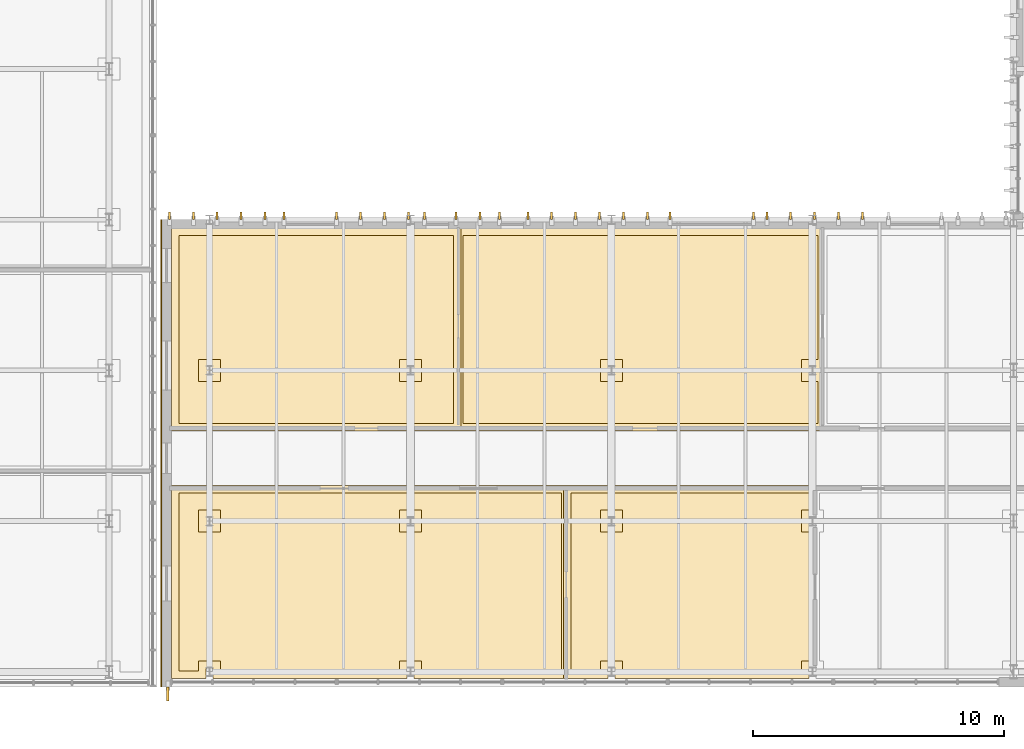
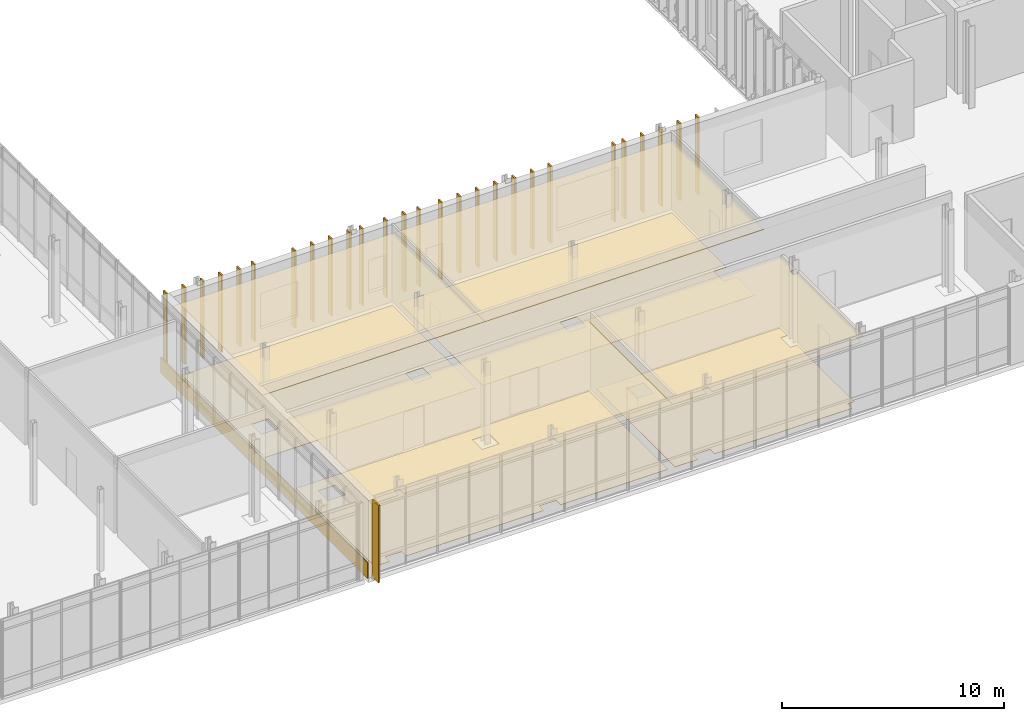
# One storey, part 91 of 100: 37 coverings.
"""IFC4 building model written with IfcOpenShell, lengths in metres."""

import ifcopenshell
import ifcopenshell.guid

model = None  # the IFC model being written
_history = None  # IfcOwnerHistory: only IFC2X3 demands one
_inside = {}  # id of a spatial element -> (the spatial element, [elements in it])
_under = {}  # id of a project, library or spatial element -> (it, [spatial elements below it])
_declared = {}  # id of a project -> (the project, [libraries it declares])
_typed = {}  # id of a type object -> (the type object, [elements of that type])
_made_of = {}  # id of a material, layer set ... -> (it, [elements and type objects made of it])


def new_model(schema):
    """Start an empty IFC model of exactly this schema.

    Asked for "IFC4X3", IfcOpenShell would pick the latest addendum, in which some entities
    have other attributes; the version numbers below select the first issue.
    IFC2X3 requires an IfcOwnerHistory on every rooted entity: one is made here for all.
    """
    global model, _history
    if schema == "IFC4X3":
        model = ifcopenshell.file(schema_version=(4, 3, 0, 0))
    else:
        model = ifcopenshell.file(schema=schema)
    _inside.clear()
    _under.clear()
    _declared.clear()
    _typed.clear()
    _made_of.clear()
    _history = None
    if model.schema == "IFC2X3":
        org = make("IfcOrganization", Name="unknown")
        user = make(
            "IfcPersonAndOrganization",
            ThePerson=make("IfcPerson", FamilyName="unknown"),
            TheOrganization=org,
        )
        app = make(
            "IfcApplication",
            ApplicationDeveloper=org,
            Version="unknown",
            ApplicationFullName="unknown",
            ApplicationIdentifier="unknown",
        )
        _history = make(
            "IfcOwnerHistory",
            OwningUser=user,
            OwningApplication=app,
            ChangeAction="ADDED",
            CreationDate=0,
        )
    return model


def make(cls, **values):
    """One entity of the class cls with the attributes given. An attribute that is None is left unset."""
    return model.create_entity(
        cls, **{name: value for name, value in values.items() if value is not None}
    )


def rooted(cls, **values):
    """An entity with a GlobalId (a new one), such as an element, a storey or a relation."""
    return make(cls, GlobalId=ifcopenshell.guid.new(), OwnerHistory=_history, **values)


def si_unit(unit_type, name, prefix=None):
    """IfcSIUnit, for example si_unit("LENGTHUNIT", "METRE", prefix="MILLI")."""
    return make("IfcSIUnit", UnitType=unit_type, Prefix=prefix, Name=name)


def assignment(units):
    """IfcUnitAssignment: the units of a project."""
    return None if units is None else make("IfcUnitAssignment", Units=units)


def point(xyz):
    """IfcCartesianPoint."""
    return None if xyz is None else make("IfcCartesianPoint", Coordinates=xyz)


def direction(xyz):
    """IfcDirection."""
    return None if xyz is None else make("IfcDirection", DirectionRatios=xyz)


def frame(location, z_axis=None, x_axis=None):
    """IfcAxis2Placement3D, a coordinate frame: its origin and axes. An axis left out is left unset."""
    return make(
        "IfcAxis2Placement3D",
        Location=point(location),
        Axis=direction(z_axis),
        RefDirection=direction(x_axis),
    )


def frame_2d(location, x_axis=None):
    """IfcAxis2Placement2D, a coordinate frame in the plane: its origin and x axis."""
    return make(
        "IfcAxis2Placement2D", Location=point(location), RefDirection=direction(x_axis)
    )


def origin():
    """The frame at (0, 0, 0) with its axes left unset."""
    return frame((0.0, 0.0, 0.0))


def origin_2d():
    """The frame at (0, 0) in the plane with its x axis left unset."""
    return frame_2d((0.0, 0.0))


def place(relative_to, where):
    """IfcLocalPlacement: puts the frame where relative to a parent placement (None: the world)."""
    return make(
        "IfcLocalPlacement", PlacementRelTo=relative_to, RelativePlacement=where
    )


def context(
    kind, dimensions, precision=None, world=None, true_north=None, identifier=None
):
    """IfcGeometricRepresentationContext, for example the 3D "Model" context."""
    return make(
        "IfcGeometricRepresentationContext",
        ContextIdentifier=identifier,
        ContextType=kind,
        CoordinateSpaceDimension=dimensions,
        Precision=precision,
        WorldCoordinateSystem=world,
        TrueNorth=true_north,
    )


def subcontext(parent, identifier, kind, view, scale=None):
    """IfcGeometricRepresentationSubContext, for example "Body" below "Model"."""
    return make(
        "IfcGeometricRepresentationSubContext",
        ContextIdentifier=identifier,
        ContextType=kind,
        ParentContext=parent,
        TargetScale=scale,
        TargetView=view,
    )


def project(units=None, contexts=None):
    """IfcProject with its units and contexts."""
    return rooted(
        "IfcProject",
        Name="project",
        RepresentationContexts=contexts,
        UnitsInContext=assignment(units),
    )


def spatial(cls, under=None, at=None, **own):
    """A site, building, storey or space (cls), placed at a placement, below another one or the project."""
    s = rooted(cls, ObjectPlacement=at, **own)
    if under is not None:
        _under.setdefault(under.id(), (under, []))[1].append(s)
    return s


def polyline(points):
    """IfcPolyline through the points."""
    return make("IfcPolyline", Points=[point(p) for p in points])


def profile(cls, at=None, kind="AREA", **sizes):
    """A parametric profile (cls). Its sizes go by their IFC names, for example OverallWidth=200.0."""
    return make(cls, ProfileType=kind, Position=at, **sizes)


def rectangle(**sizes):
    """IfcRectangleProfileDef."""
    return profile("IfcRectangleProfileDef", **sizes)


def outline(outer, holes=None, kind="AREA"):
    """IfcArbitraryClosedProfileDef: a profile drawn as a closed curve; with holes, ...WithVoids."""
    if holes is None:
        return make("IfcArbitraryClosedProfileDef", ProfileType=kind, OuterCurve=outer)
    return make(
        "IfcArbitraryProfileDefWithVoids",
        ProfileType=kind,
        OuterCurve=outer,
        InnerCurves=holes,
    )


def extrude(swept, where, along, depth):
    """IfcExtrudedAreaSolid: the profile swept, set in the frame where, extruded along a direction by depth."""
    return make(
        "IfcExtrudedAreaSolid",
        SweptArea=swept,
        Position=where,
        ExtrudedDirection=direction(along),
        Depth=depth,
    )


def shape(context_of_items, identifier, shape_type, items):
    """IfcShapeRepresentation: the items that make up one representation, for example the "Body"."""
    return make(
        "IfcShapeRepresentation",
        ContextOfItems=context_of_items,
        RepresentationIdentifier=identifier,
        RepresentationType=shape_type,
        Items=items,
    )


def material(Name=None, Category=None):
    """IfcMaterial."""
    return make("IfcMaterial", Name=Name, Category=Category)


def layer(
    of_material, thickness, ventilated=None, Name=None, Category=None, Priority=None
):
    """IfcMaterialLayer: one layer of a wall or slab, of a material (None: an air gap)."""
    return make(
        "IfcMaterialLayer",
        Material=of_material,
        LayerThickness=thickness,
        IsVentilated=ventilated,
        Name=Name,
        Category=Category,
        Priority=Priority,
    )


def layer_set(layers, Name=None):
    """IfcMaterialLayerSet."""
    return make("IfcMaterialLayerSet", MaterialLayers=layers, LayerSetName=Name)


def made_of(thing, what):
    """Note that an element or type object is made of a material, layer set ...; save() writes the relation."""
    if what is not None:
        _made_of.setdefault(what.id(), (what, []))[1].append(thing)
    return thing


def type_object(cls, material=None, **own):
    """A type object (cls), such as IfcWallType, which elements share."""
    return made_of(rooted(cls, **own), material)


def element(
    cls,
    number,
    at=None,
    inside=None,
    cuts=None,
    type_object=None,
    material=None,
    context=None,
    identifier="Body",
    shape_type=None,
    held_by="IfcProductDefinitionShape",
    body=None,
    shapes=None,
    **own,
):
    """One element of the class cls, such as IfcWall. Its Tag is "e" and its number.

    at: its placement. inside: the storey or other place that contains it. cuts: it is an
    opening in that element (IfcRelVoidsElement). A single representation is given by context,
    identifier, shape_type and body (its items); several are given by shapes. held_by: the class
    of the entity that holds the representations. save() writes the other relations.
    """
    e = rooted(cls, Tag="e%d" % number, ObjectPlacement=at, **own)
    if body is not None:
        shapes = [shape(context, identifier, shape_type, body)]
    if shapes is not None:
        e.Representation = make(held_by, Representations=shapes)
    if inside is not None:
        _inside.setdefault(inside.id(), (inside, []))[1].append(e)
    if cuts is not None:
        rooted(
            "IfcRelVoidsElement", RelatingBuildingElement=cuts, RelatedOpeningElement=e
        )
    if type_object is not None:
        _typed.setdefault(type_object.id(), (type_object, []))[1].append(e)
    return made_of(e, material)


def aggregate(whole, parts):
    """IfcRelAggregates: a whole, such as a stair, and the parts it consists of."""
    return rooted("IfcRelAggregates", RelatingObject=whole, RelatedObjects=parts)


def save(model, path):
    """Write the relations noted so far, then the file.

    IfcRelAggregates (storeys below a building ...), IfcRelContainedInSpatialStructure (elements
    in a storey), IfcRelDefinesByType, IfcRelAssociatesMaterial and IfcRelDeclares: one each for
    every whole, place, type object, material and project.
    """
    for whole, parts in _under.values():
        aggregate(whole, parts)
    for where, things in _inside.values():
        rooted(
            "IfcRelContainedInSpatialStructure",
            RelatedElements=things,
            RelatingStructure=where,
        )
    for kind, things in _typed.values():
        rooted("IfcRelDefinesByType", RelatedObjects=things, RelatingType=kind)
    for what, things in _made_of.values():
        rooted("IfcRelAssociatesMaterial", RelatedObjects=things, RelatingMaterial=what)
    for by, libraries in _declared.values():
        rooted("IfcRelDeclares", RelatingContext=by, RelatedDefinitions=libraries)
    model.write(path)


model = new_model("IFC4")

# Units and contexts
model_context = context("Model", 3, precision=1e-05, world=origin(), true_north=direction((0.0, 1.0)))
body_context = subcontext(model_context, "Body", "Model", "MODEL_VIEW")
ifc_project = project(units=[si_unit("LENGTHUNIT", "METRE"), si_unit("AREAUNIT", "SQUARE_METRE"), si_unit("VOLUMEUNIT", "CUBIC_METRE"), si_unit("PLANEANGLEUNIT", "RADIAN"), si_unit("MASSUNIT", "GRAM", prefix="KILO")], contexts=[model_context])

# Site, building, storey
site_placement = place(None, origin())
site = spatial("IfcSite", under=ifc_project, at=site_placement, CompositionType="ELEMENT")
building_placement = place(site_placement, origin())
building = spatial("IfcBuilding", under=site, at=building_placement, Name="Cymarion Research Institute", CompositionType="ELEMENT")
storey_placement = place(building_placement, frame((0.0, 0.0, 9.300048828125)))
storey = spatial("IfcBuildingStorey", under=building, at=storey_placement, Name="L02", CompositionType="ELEMENT", Elevation=9.300048828125)

# Coverings
ifc_material_1 = material(Name="Micro-perforated mineral acoustic ceiling tile", Category="gypsum")
ifc_layer_1 = layer(ifc_material_1, 0.030029296875)
ifc_layer_set_1 = layer_set([ifc_layer_1], Name="Micro-perforated mineral acoustic ceiling tile")
covering_type_1 = type_object("IfcCoveringType", Name="ACOUSTIC MICRO-PERFORATED SUSPENDED CEILING CLG-01", PredefinedType="CEILING", material=ifc_layer_set_1)
covering_1_placement = place(storey_placement, frame((0.0, 0.0, 3.699951171875)))
element("IfcCovering", 1, at=covering_1_placement, inside=storey, type_object=covering_type_1, Name="L02 Organic Synthesis Fume-Hood Laboratory acoustic ceiling", PredefinedType="CEILING", context=body_context, shape_type="SweptSolid", body=[
    extrude(outline(polyline([(120.9150390625, 12.9150390625), (120.9150390625, 5.235107421875), (114.735107421875, 5.235107421875), (114.735107421875, 5.635009765625), (114.465087890625, 5.635009765625), (114.465087890625, 5.235107421875), (106.735107421875, 5.235107421875), (106.735107421875, 5.635009765625), (106.465087890625, 5.635009765625), (106.465087890625, 5.235107421875), (105.0849609375, 5.235107421875), (105.0849609375, 12.9150390625), (120.9150390625, 12.9150390625)])), origin(), (0.0, 0.0, 1.0), 0.030029296875),
])
covering_2_placement = place(storey_placement, frame((0.0, 0.0, 3.699951171875)))
element("IfcCovering", 2, at=covering_2_placement, inside=storey, type_object=covering_type_1, Name="L02 Catalysis & Spectroscopy Laboratory acoustic ceiling", PredefinedType="CEILING", context=body_context, shape_type="SweptSolid", body=[
    extrude(outline(polyline([(130.81494140625, 12.9150390625), (130.81494140625, 11.635009765625), (130.465087890625, 11.635009765625), (130.465087890625, 11.364990234375), (130.81494140625, 11.364990234375), (130.81494140625, 5.635009765625), (130.465087890625, 5.635009765625), (130.465087890625, 5.235107421875), (122.735107421875, 5.235107421875), (122.735107421875, 5.635009765625), (122.465087890625, 5.635009765625), (122.465087890625, 5.235107421875), (120.68505859375, 5.235107421875), (120.68505859375, 12.9150390625), (130.81494140625, 12.9150390625)])), origin(), (0.0, 0.0, 1.0), 0.030029296875),
])
covering_3_placement = place(storey_placement, frame((0.0, 0.0, 3.699951171875)))
element("IfcCovering", 3, at=covering_3_placement, inside=storey, type_object=covering_type_1, Name="L02 L02 Dry Researcher Write-Up Cluster West acoustic ceiling", PredefinedType="CEILING", context=body_context, shape_type="SweptSolid", body=[
    extrude(outline(polyline([(116.614990234375, 23.1650390625), (116.614990234375, 15.0849609375), (105.0849609375, 15.0849609375), (105.0849609375, 23.1650390625), (116.614990234375, 23.1650390625)])), origin(), (0.0, 0.0, 1.0), 0.030029296875),
])
covering_4_placement = place(storey_placement, frame((0.0, 0.0, 3.699951171875)))
element("IfcCovering", 4, at=covering_4_placement, inside=storey, type_object=covering_type_1, Name="L02 L02 Dry Researcher Write-Up Cluster East acoustic ceiling", PredefinedType="CEILING", context=body_context, shape_type="SweptSolid", body=[
    extrude(outline(polyline([(131.114990234375, 23.1650390625), (131.114990234375, 15.0849609375), (116.385009765625, 15.0849609375), (116.385009765625, 23.1650390625), (131.114990234375, 23.1650390625)])), origin(), (0.0, 0.0, 1.0), 0.030029296875),
])
ifc_material_2 = material(Name="Precast concrete C45/55 architectural white", Category="concrete")
ifc_layer_2 = layer(ifc_material_2, 0.090087890625)
ifc_layer_set_2 = layer_set([ifc_layer_2], Name="Precast concrete C45/55 architectural white")
covering_type_2 = type_object("IfcCoveringType", Name="ARCHITECTURAL WHITE PRECAST CONCRETE VERTICAL FIN FIN1 560MM", PredefinedType="CLADDING", material=ifc_layer_set_2)
covering_5_placement = place(storey_placement, frame((104.93994140625, 4.617919921875, 0.010009765625), z_axis=(0.0, 0.0, 1.0), x_axis=(0.0, -1.0, 0.0)))
element("IfcCovering", 5, at=covering_5_placement, inside=storey, type_object=covering_type_2, Name="L02 V1 white precast vertical fin FIN1 #210", PredefinedType="CLADDING", context=body_context, shape_type="SweptSolid", body=[
    extrude(rectangle(XDim=0.56005859375, YDim=0.090087890625, at=origin_2d()), origin(), (0.0, 0.0, 1.0), 4.22998046875),
])
ifc_layer_3 = layer(ifc_material_2, 0.080078125)
ifc_layer_set_3 = layer_set([ifc_layer_3], Name="Precast concrete C45/55 architectural white")
covering_type_3 = type_object("IfcCoveringType", Name="ARCHITECTURAL WHITE PRECAST CONCRETE VERTICAL FIN FIN4 300MM", PredefinedType="CLADDING", material=ifc_layer_set_3)
for number, where, z_axis, x_axis, name in (
    (6, (132.59130859375, 23.652099609375, 0.010009765625), (0.0, 0.0, 1.0), (0.0, 1.0, 0.0), "L02 V1 white precast vertical fin FIN4 #289"),
    (7, (131.639892578125, 23.652099609375, 0.010009765625), (0.0, 0.0, 1.0), (0.0, 1.0, 0.0), "L02 V1 white precast vertical fin FIN4 #290"),
    (8, (130.688720703125, 23.652099609375, 0.010009765625), (0.0, 0.0, 1.0), (0.0, 1.0, 0.0), "L02 V1 white precast vertical fin FIN4 #291"),
    (9, (129.737060546875, 23.652099609375, 0.010009765625), (0.0, 0.0, 1.0), (0.0, 1.0, 0.0), "L02 V1 white precast vertical fin FIN4 #292"),
    (10, (128.78564453125, 23.652099609375, 0.010009765625), (0.0, 0.0, 1.0), (0.0, 1.0, 0.0), "L02 V1 white precast vertical fin FIN4 #293"),
    (11, (128.260009765625, 23.652099609375, 0.010009765625), (0.0, 0.0, 1.0), (0.0, 1.0, 0.0), "L02 V1 white precast vertical fin FIN4 #294"),
    (12, (124.93994140625, 23.652099609375, 0.010009765625), (0.0, 0.0, 1.0), (0.0, 1.0, 0.0), "L02 V1 white precast vertical fin FIN4 #295"),
    (13, (124.028564453125, 23.652099609375, 0.010009765625), (0.0, 0.0, 1.0), (0.0, 1.0, 0.0), "L02 V1 white precast vertical fin FIN4 #296"),
    (14, (123.0771484375, 23.652099609375, 0.010009765625), (0.0, 0.0, 1.0), (0.0, 1.0, 0.0), "L02 V1 white precast vertical fin FIN4 #297"),
    (15, (122.125732421875, 23.652099609375, 0.010009765625), (0.0, 0.0, 1.0), (0.0, 1.0, 0.0), "L02 V1 white precast vertical fin FIN4 #298"),
    (16, (121.17431640625, 23.652099609375, 0.010009765625), (0.0, 0.0, 1.0), (0.0, 1.0, 0.0), "L02 V1 white precast vertical fin FIN4 #299"),
    (17, (120.222900390625, 23.652099609375, 0.010009765625), (0.0, 0.0, 1.0), (0.0, 1.0, 0.0), "L02 V1 white precast vertical fin FIN4 #300"),
    (18, (119.271484375, 23.652099609375, 0.010009765625), (0.0, 0.0, 1.0), (0.0, 1.0, 0.0), "L02 V1 white precast vertical fin FIN4 #301"),
    (19, (118.139892578125, 23.652099609375, 0.010009765625), (0.0, 0.0, 1.0), (0.0, 1.0, 0.0), "L02 V1 white precast vertical fin FIN4 #302"),
    (20, (117.36865234375, 23.652099609375, 0.010009765625), (0.0, 0.0, 1.0), (0.0, 1.0, 0.0), "L02 V1 white precast vertical fin FIN4 #303"),
    (21, (116.4169921875, 23.652099609375, 0.010009765625), (0.0, 0.0, 1.0), (0.0, 1.0, 0.0), "L02 V1 white precast vertical fin FIN4 #304"),
    (22, (115.159912109375, 23.652099609375, 0.010009765625), (0.0, 0.0, 1.0), (0.0, 1.0, 0.0), "L02 V1 white precast vertical fin FIN4 #305"),
    (23, (114.514404296875, 23.652099609375, 0.010009765625), (0.0, 0.0, 1.0), (0.0, 1.0, 0.0), "L02 V1 white precast vertical fin FIN4 #306"),
    (24, (113.56298828125, 23.652099609375, 0.010009765625), (0.0, 0.0, 1.0), (0.0, 1.0, 0.0), "L02 V1 white precast vertical fin FIN4 #307"),
    (25, (112.611328125, 23.652099609375, 0.010009765625), (0.0, 0.0, 1.0), (0.0, 1.0, 0.0), "L02 V1 white precast vertical fin FIN4 #308"),
    (26, (111.659912109375, 23.652099609375, 0.010009765625), (0.0, 0.0, 1.0), (0.0, 1.0, 0.0), "L02 V1 white precast vertical fin FIN4 #309"),
    (27, (109.56494140625, 23.652099609375, 0.010009765625), (0.0, 0.0, 1.0), (0.0, 1.0, 0.0), "L02 V1 white precast vertical fin FIN4 #310"),
    (28, (108.8056640625, 23.652099609375, 0.010009765625), (0.0, 0.0, 1.0), (0.0, 1.0, 0.0), "L02 V1 white precast vertical fin FIN4 #311"),
    (29, (107.854248046875, 23.652099609375, 0.010009765625), (0.0, 0.0, 1.0), (0.0, 1.0, 0.0), "L02 V1 white precast vertical fin FIN4 #312"),
    (30, (106.90283203125, 23.652099609375, 0.010009765625), (0.0, 0.0, 1.0), (0.0, 1.0, 0.0), "L02 V1 white precast vertical fin FIN4 #313"),
    (31, (105.951416015625, 23.652099609375, 0.010009765625), (0.0, 0.0, 1.0), (0.0, 1.0, 0.0), "L02 V1 white precast vertical fin FIN4 #314"),
    (32, (105.0, 23.652099609375, 0.010009765625), (0.0, 0.0, 1.0), (0.0, 1.0, 0.0), "L02 V1 white precast vertical fin FIN4 #315"),
):
    element("IfcCovering", number, at=place(storey_placement, frame(where, z_axis=z_axis, x_axis=x_axis)), inside=storey, type_object=covering_type_3, Name=name, PredefinedType="CLADDING", context=body_context, shape_type="SweptSolid", body=[
        extrude(rectangle(XDim=0.300048828125, YDim=0.080078125, at=origin_2d()), origin(), (0.0, 0.0, 1.0), 4.22998046875),
    ])
ifc_material_3 = material(Name="Seamless dissipative epoxy resin flooring", Category="resin")
ifc_layer_4 = layer(ifc_material_3, 0.02001953125)
ifc_layer_set_4 = layer_set([ifc_layer_4], Name="Seamless dissipative epoxy resin flooring")
covering_type_4 = type_object("IfcCoveringType", Name="SEAMLESS ESD EPOXY LABORATORY FLOORING FLR-01", PredefinedType="FLOORING", material=ifc_layer_set_4)
covering_6_placement = place(storey_placement, origin())
element("IfcCovering", 33, at=covering_6_placement, inside=storey, type_object=covering_type_4, Name="L02 Organic Synthesis Fume-Hood Laboratory ESD epoxy flooring", PredefinedType="FLOORING", context=body_context, shape_type="SweptSolid", body=[
    extrude(outline(polyline([(105.385009765625, 12.614990234375), (120.614990234375, 12.614990234375), (120.614990234375, 5.534912109375), (115.034912109375, 5.534912109375), (115.034912109375, 5.93505859375), (114.1650390625, 5.93505859375), (114.1650390625, 5.534912109375), (107.034912109375, 5.534912109375), (107.034912109375, 5.93505859375), (106.1650390625, 5.93505859375), (106.1650390625, 5.534912109375), (105.385009765625, 5.534912109375), (105.385009765625, 12.614990234375)]), holes=[polyline([(115.034912109375, 11.93505859375), (114.1650390625, 11.93505859375), (114.1650390625, 11.06494140625), (115.034912109375, 11.06494140625), (115.034912109375, 11.93505859375)]), polyline([(107.034912109375, 11.93505859375), (106.1650390625, 11.93505859375), (106.1650390625, 11.06494140625), (107.034912109375, 11.06494140625), (107.034912109375, 11.93505859375)])]), origin(), (0.0, 0.0, 1.0), 0.02001953125),
])
covering_7_placement = place(storey_placement, origin())
element("IfcCovering", 34, at=covering_7_placement, inside=storey, type_object=covering_type_4, Name="L02 Catalysis & Spectroscopy Laboratory ESD epoxy flooring", PredefinedType="FLOORING", context=body_context, shape_type="SweptSolid", body=[
    extrude(outline(polyline([(120.985107421875, 12.614990234375), (130.514892578125, 12.614990234375), (130.514892578125, 11.93505859375), (130.1650390625, 11.93505859375), (130.1650390625, 11.06494140625), (130.514892578125, 11.06494140625), (130.514892578125, 5.93505859375), (130.1650390625, 5.93505859375), (130.1650390625, 5.534912109375), (123.034912109375, 5.534912109375), (123.034912109375, 5.93505859375), (122.1650390625, 5.93505859375), (122.1650390625, 5.534912109375), (120.985107421875, 5.534912109375), (120.985107421875, 12.614990234375)]), holes=[polyline([(123.034912109375, 11.93505859375), (122.1650390625, 11.93505859375), (122.1650390625, 11.06494140625), (123.034912109375, 11.06494140625), (123.034912109375, 11.93505859375)])]), origin(), (0.0, 0.0, 1.0), 0.02001953125),
])
covering_8_placement = place(storey_placement, origin())
element("IfcCovering", 35, at=covering_8_placement, inside=storey, type_object=covering_type_4, Name="L02 L02 Dry Researcher Write-Up Cluster West ESD epoxy flooring", PredefinedType="FLOORING", context=body_context, shape_type="SweptSolid", body=[
    extrude(outline(polyline([(105.385009765625, 22.864990234375), (116.31494140625, 22.864990234375), (116.31494140625, 15.385009765625), (105.385009765625, 15.385009765625), (105.385009765625, 22.864990234375)]), holes=[polyline([(115.034912109375, 17.93505859375), (114.1650390625, 17.93505859375), (114.1650390625, 17.06494140625), (115.034912109375, 17.06494140625), (115.034912109375, 17.93505859375)]), polyline([(107.034912109375, 17.93505859375), (106.1650390625, 17.93505859375), (106.1650390625, 17.06494140625), (107.034912109375, 17.06494140625), (107.034912109375, 17.93505859375)])]), origin(), (0.0, 0.0, 1.0), 0.02001953125),
])
covering_9_placement = place(storey_placement, origin())
element("IfcCovering", 36, at=covering_9_placement, inside=storey, type_object=covering_type_4, Name="L02 L02 Dry Researcher Write-Up Cluster East ESD epoxy flooring", PredefinedType="FLOORING", context=body_context, shape_type="SweptSolid", body=[
    extrude(outline(polyline([(116.68505859375, 22.864990234375), (130.81494140625, 22.864990234375), (130.81494140625, 17.93505859375), (130.1650390625, 17.93505859375), (130.1650390625, 17.06494140625), (130.81494140625, 17.06494140625), (130.81494140625, 15.385009765625), (116.68505859375, 15.385009765625), (116.68505859375, 22.864990234375)]), holes=[polyline([(123.034912109375, 17.93505859375), (122.1650390625, 17.93505859375), (122.1650390625, 17.06494140625), (123.034912109375, 17.06494140625), (123.034912109375, 17.93505859375)])]), origin(), (0.0, 0.0, 1.0), 0.02001953125),
])
ifc_material_4 = material(Name="Campanian volcanic piperno stone rainscreen", Category="masonry")
ifc_layer_5 = layer(ifc_material_4, 0.050048828125)
ifc_layer_set_5 = layer_set([ifc_layer_5], Name="Campanian volcanic piperno stone rainscreen")
covering_type_5 = type_object("IfcCoveringType", Name="VENTILATED TUFF STONE SPANDREL CLADDING COV-CL01", PredefinedType="CLADDING", material=ifc_layer_set_5)
covering_10_placement = place(storey_placement, frame((104.675048828125, 23.5, 0.0), z_axis=(0.0, 0.0, 1.0), x_axis=(0.0, -1.0, 0.0)))
element("IfcCovering", 37, at=covering_10_placement, inside=storey, type_object=covering_type_5, Name="L02 V1 volcanic piperno stone spandrel cladding #9", PredefinedType="CLADDING", context=body_context, shape_type="SweptSolid", body=[
    extrude(rectangle(XDim=18.60009765625, YDim=0.050048828125, at=frame_2d((9.300048828125, 0.0))), origin(), (0.0, 0.0, 1.0), 0.85986328125),
])

save(model, "model.ifc")
